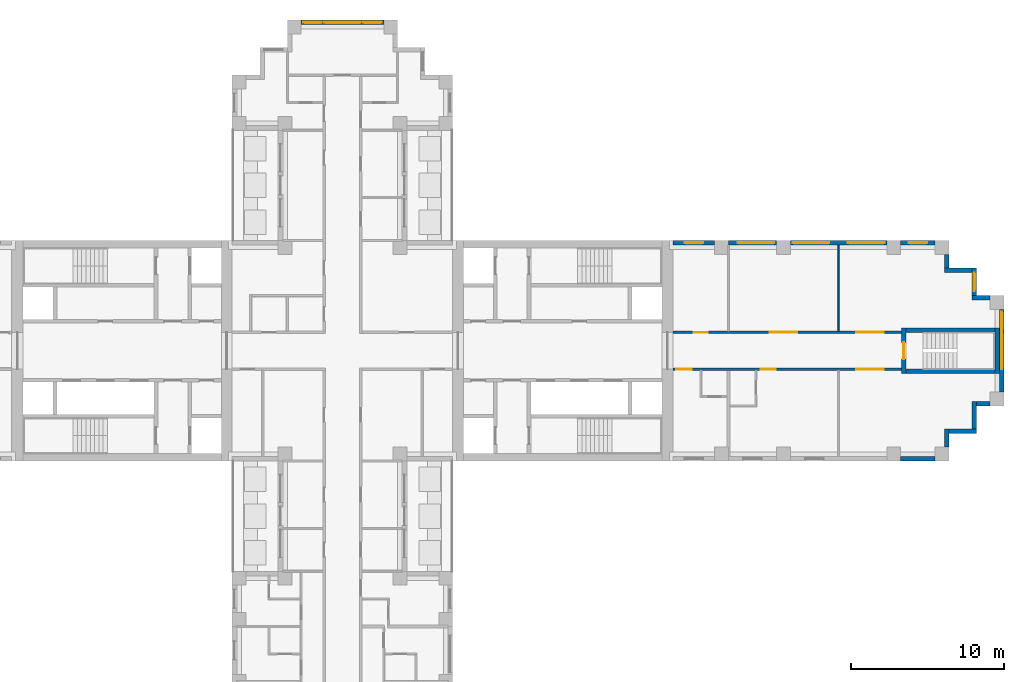
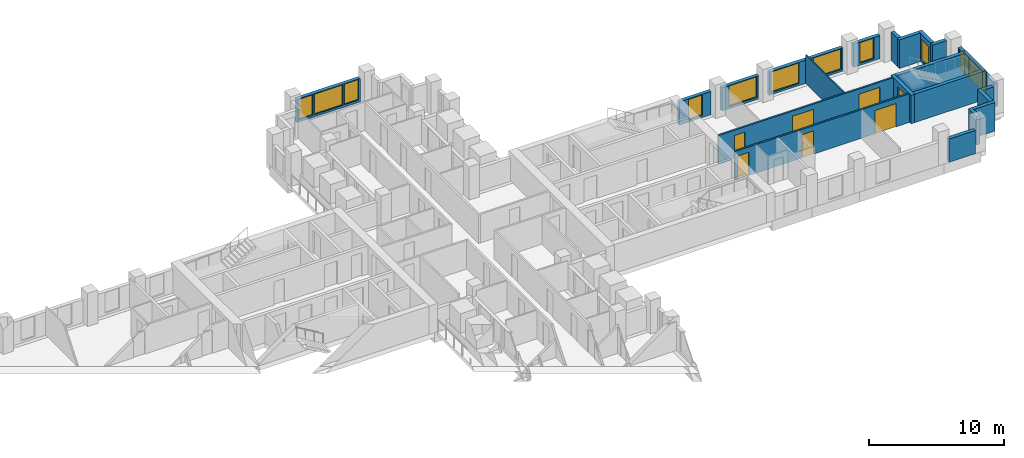
# One storey, part 11 of 14: 22 walls, 11 windows, 7 doors, 18 openings.
"""IFC4 building model written with IfcOpenShell, lengths in metres."""

from ifc_helpers import new_model, si_unit, direction, frame, frame_2d, origin, place, context, subcontext, project, spatial, rectangle, extrude, material, layer, layer_set, type_object, element, fill, save


model = new_model("IFC4")

# Units and contexts
model_context = context("Model", 3, precision=1e-05, world=origin(), true_north=direction((0.0, 1.0)))
body_context = subcontext(model_context, "Body", "Model", "MODEL_VIEW")
ifc_project = project(units=[si_unit("LENGTHUNIT", "METRE"), si_unit("AREAUNIT", "SQUARE_METRE"), si_unit("VOLUMEUNIT", "CUBIC_METRE"), si_unit("PLANEANGLEUNIT", "RADIAN"), si_unit("MASSUNIT", "GRAM", prefix="KILO")], contexts=[model_context])

# Site, building, storey
site_placement = place(None, origin())
site = spatial("IfcSite", under=ifc_project, at=site_placement, CompositionType="ELEMENT")
building_placement = place(site_placement, origin())
building = spatial("IfcBuilding", under=site, at=building_placement, Name="Fustian Cross Tower", CompositionType="ELEMENT")
storey_placement = place(building_placement, frame((0.0, 0.0, 72.89990234375)))
storey = spatial("IfcBuildingStorey", under=building, at=storey_placement, Name="L22", CompositionType="ELEMENT", Elevation=72.89990234375)

# Wall, openings, doors
ifc_material_1 = material(Name="Plasterboard on steel stud", Category="steel")
ifc_layer_1 = layer(ifc_material_1, 0.14990234375)
ifc_layer_set_1 = layer_set([ifc_layer_1], Name="Plasterboard on steel stud")
wall_type_1 = type_object("IfcWallType", Name="COMPARTMENT WALL 150 EI 60", PredefinedType="PARTITIONING", material=ifc_layer_set_1)
wall_1_placement = place(storey_placement, frame((21.60009765625, -1.199951171875, 0.0), z_axis=(0.0, 0.0, 1.0), x_axis=(1.0, 0.0, 0.0)))
wall_1 = element("IfcWall", 1, at=wall_1_placement, inside=storey, type_object=wall_type_1, Name="Partition 84", PredefinedType="PARTITIONING", context=body_context, shape_type="SweptSolid", body=[
    extrude(rectangle(XDim=14.89990234375, YDim=0.14990234375, at=frame_2d((7.449951171875, 0.0))), origin(), (0.0, 0.0, 1.0), 2.5751953125),
])
opening_1_placement = place(wall_1_placement, frame((0.199951171875, 0.0, 0.0)))
opening_1 = element("IfcOpeningElement", 2, at=opening_1_placement, cuts=wall_1, Name="Opening D11013", PredefinedType="OPENING", context=body_context, shape_type="SweptSolid", body=[
    extrude(rectangle(XDim=1.0, YDim=2.10009765625, at=frame_2d((0.5, 1.050048828125))), frame((0.0, 0.0849609375, 0.0), z_axis=(0.0, -1.0, 0.0), x_axis=(1.0, 0.0, 0.0)), (0.0, 0.0, 1.0), 0.169921875),
])
opening_2_placement = place(wall_1_placement, frame((5.7099609375, 0.0, 0.0)))
opening_2 = element("IfcOpeningElement", 3, at=opening_2_placement, cuts=wall_1, Name="Opening D11015", PredefinedType="OPENING", context=body_context, shape_type="SweptSolid", body=[
    extrude(rectangle(XDim=1.0, YDim=2.10009765625, at=frame_2d((0.5, 1.050048828125))), frame((0.0, 0.0849609375, 0.0), z_axis=(0.0, -1.0, 0.0), x_axis=(1.0, 0.0, 0.0)), (0.0, 0.0, 1.0), 0.169921875),
])
opening_3_placement = place(wall_1_placement, frame((11.949951171875, 0.0, 0.0)))
opening_3 = element("IfcOpeningElement", 4, at=opening_3_placement, cuts=wall_1, Name="Opening D11016", PredefinedType="OPENING", context=body_context, shape_type="SweptSolid", body=[
    extrude(rectangle(XDim=1.800048828125, YDim=2.10009765625, at=frame_2d((0.89990234375, 1.050048828125))), frame((0.0, 0.0849609375, 0.0), z_axis=(0.0, -1.0, 0.0), x_axis=(1.0, 0.0, 0.0)), (0.0, 0.0, 1.0), 0.169921875),
])
ifc_material_2 = material(Name="Timber fire door set", Category="wood")
door_type_1 = type_object("IfcDoorType", Name="FIRE DOUBLE DOOR 1800 FD30S", OperationType="DOUBLE_DOOR_DOUBLE_SWING", PredefinedType="DOOR", material=ifc_material_2)
door_1_placement = place(opening_3_placement, origin())
door_1 = element("IfcDoor", 5, at=door_1_placement, inside=storey, type_object=door_type_1, Name="Door D11016", OperationType="DOUBLE_DOOR_DOUBLE_SWING", OverallHeight=2.10009765625, OverallWidth=1.800048828125, PredefinedType="DOOR", context=body_context, shape_type="SweptSolid", body=[
    extrude(rectangle(XDim=1.800048828125, YDim=2.10009765625, at=frame_2d((0.89990234375, 1.050048828125))), frame((0.0, 0.02490234375, 0.0), z_axis=(0.0, -1.0, 0.0), x_axis=(1.0, 0.0, 0.0)), (0.0, 0.0, 1.0), 0.050048828125),
])
fill(opening_3, door_1)
ifc_material_3 = material(Name="Timber fire door set", Category="wood")
door_type_2 = type_object("IfcDoorType", Name="FIRE SWING DOOR 1000 FD30S", OperationType="SINGLE_SWING_LEFT", PredefinedType="DOOR", material=ifc_material_3)
door_2_placement = place(opening_1_placement, frame((1.0, 0.0, 0.0), z_axis=(0.0, 0.0, 1.0), x_axis=(-1.0, 0.0, 0.0)))
door_2 = element("IfcDoor", 6, at=door_2_placement, inside=storey, type_object=door_type_2, Name="Door D11013", OperationType="SINGLE_SWING_RIGHT", OverallHeight=2.10009765625, OverallWidth=1.0, PredefinedType="DOOR", context=body_context, shape_type="SweptSolid", body=[
    extrude(rectangle(XDim=1.0, YDim=2.10009765625, at=frame_2d((0.5, 1.050048828125))), frame((0.0, 0.02490234375, 0.0), z_axis=(0.0, -1.0, 0.0), x_axis=(1.0, 0.0, 0.0)), (0.0, 0.0, 1.0), 0.050048828125),
])
fill(opening_1, door_2)
door_3_placement = place(opening_2_placement, frame((1.0, 0.0, 0.0), z_axis=(0.0, 0.0, 1.0), x_axis=(-1.0, 0.0, 0.0)))
door_3 = element("IfcDoor", 7, at=door_3_placement, inside=storey, type_object=door_type_2, Name="Door D11015", OperationType="SINGLE_SWING_RIGHT", OverallHeight=2.10009765625, OverallWidth=1.0, PredefinedType="DOOR", context=body_context, shape_type="SweptSolid", body=[
    extrude(rectangle(XDim=1.0, YDim=2.10009765625, at=frame_2d((0.5, 1.050048828125))), frame((0.0, 0.02490234375, 0.0), z_axis=(0.0, -1.0, 0.0), x_axis=(1.0, 0.0, 0.0)), (0.0, 0.0, 1.0), 0.050048828125),
])
fill(opening_2, door_3)

wall_2_placement = place(storey_placement, frame((21.60009765625, 1.199951171875, 0.0), z_axis=(0.0, 0.0, 1.0), x_axis=(1.0, 0.0, 0.0)))
wall_2 = element("IfcWall", 8, at=wall_2_placement, inside=storey, type_object=wall_type_1, Name="Partition 85", PredefinedType="PARTITIONING", context=body_context, shape_type="SweptSolid", body=[
    extrude(rectangle(XDim=14.89990234375, YDim=0.14990234375, at=frame_2d((7.449951171875, 0.0))), origin(), (0.0, 0.0, 1.0), 2.5751953125),
])
opening_4_placement = place(wall_2_placement, frame((1.35009765625, 0.0, 0.0)))
opening_4 = element("IfcOpeningElement", 9, at=opening_4_placement, cuts=wall_2, Name="Opening D11009", PredefinedType="OPENING", context=body_context, shape_type="SweptSolid", body=[
    extrude(rectangle(XDim=0.89990234375, YDim=2.10009765625, at=frame_2d((0.449951171875, 1.050048828125))), frame((0.0, 0.0849609375, 0.0), z_axis=(0.0, -1.0, 0.0), x_axis=(1.0, 0.0, 0.0)), (0.0, 0.0, 1.0), 0.169921875),
])
opening_5_placement = place(wall_2_placement, frame((6.300048828125, 0.0, 0.0)))
opening_5 = element("IfcOpeningElement", 10, at=opening_5_placement, cuts=wall_2, Name="Opening D11010", PredefinedType="OPENING", context=body_context, shape_type="SweptSolid", body=[
    extrude(rectangle(XDim=1.800048828125, YDim=2.10009765625, at=frame_2d((0.89990234375, 1.050048828125))), frame((0.0, 0.0849609375, 0.0), z_axis=(0.0, -1.0, 0.0), x_axis=(1.0, 0.0, 0.0)), (0.0, 0.0, 1.0), 0.169921875),
])
opening_6_placement = place(wall_2_placement, frame((11.949951171875, 0.0, 0.0)))
opening_6 = element("IfcOpeningElement", 11, at=opening_6_placement, cuts=wall_2, Name="Opening D11011", PredefinedType="OPENING", context=body_context, shape_type="SweptSolid", body=[
    extrude(rectangle(XDim=1.800048828125, YDim=2.10009765625, at=frame_2d((0.89990234375, 1.050048828125))), frame((0.0, 0.0849609375, 0.0), z_axis=(0.0, -1.0, 0.0), x_axis=(1.0, 0.0, 0.0)), (0.0, 0.0, 1.0), 0.169921875),
])
door_4_placement = place(opening_5_placement, frame((1.800048828125, 0.0, 0.0), z_axis=(0.0, 0.0, 1.0), x_axis=(-1.0, 0.0, 0.0)))
door_4 = element("IfcDoor", 12, at=door_4_placement, inside=storey, type_object=door_type_1, Name="Door D11010", OperationType="DOUBLE_DOOR_DOUBLE_SWING", OverallHeight=2.10009765625, OverallWidth=1.800048828125, PredefinedType="DOOR", context=body_context, shape_type="SweptSolid", body=[
    extrude(rectangle(XDim=1.800048828125, YDim=2.10009765625, at=frame_2d((0.89990234375, 1.050048828125))), frame((0.0, 0.02490234375, 0.0), z_axis=(0.0, -1.0, 0.0), x_axis=(1.0, 0.0, 0.0)), (0.0, 0.0, 1.0), 0.050048828125),
])
fill(opening_5, door_4)
door_5_placement = place(opening_6_placement, frame((1.800048828125, 0.0, 0.0), z_axis=(0.0, 0.0, 1.0), x_axis=(-1.0, 0.0, 0.0)))
door_5 = element("IfcDoor", 13, at=door_5_placement, inside=storey, type_object=door_type_1, Name="Door D11011", OperationType="DOUBLE_DOOR_DOUBLE_SWING", OverallHeight=2.10009765625, OverallWidth=1.800048828125, PredefinedType="DOOR", context=body_context, shape_type="SweptSolid", body=[
    extrude(rectangle(XDim=1.800048828125, YDim=2.10009765625, at=frame_2d((0.89990234375, 1.050048828125))), frame((0.0, 0.02490234375, 0.0), z_axis=(0.0, -1.0, 0.0), x_axis=(1.0, 0.0, 0.0)), (0.0, 0.0, 1.0), 0.050048828125),
])
fill(opening_6, door_5)
ifc_material_4 = material(Name="Timber fire door set", Category="wood")
door_type_3 = type_object("IfcDoorType", Name="FIRE SWING DOOR 900 FD30S", OperationType="SINGLE_SWING_LEFT", PredefinedType="DOOR", material=ifc_material_4)
door_6_placement = place(opening_4_placement, origin())
door_6 = element("IfcDoor", 14, at=door_6_placement, inside=storey, type_object=door_type_3, Name="Door D11009", OperationType="SINGLE_SWING_LEFT", OverallHeight=2.10009765625, OverallWidth=0.89990234375, PredefinedType="DOOR", context=body_context, shape_type="SweptSolid", body=[
    extrude(rectangle(XDim=0.89990234375, YDim=2.10009765625, at=frame_2d((0.449951171875, 1.050048828125))), frame((0.0, 0.02490234375, 0.0), z_axis=(0.0, -1.0, 0.0), x_axis=(1.0, 0.0, 0.0)), (0.0, 0.0, 1.0), 0.050048828125),
])
fill(opening_4, door_6)

# Wall
ifc_material_5 = material(Name="Plasterboard on steel stud", Category="steel")
ifc_layer_2 = layer(ifc_material_5, 0.10009765625)
ifc_layer_set_2 = layer_set([ifc_layer_2], Name="Plasterboard on steel stud")
wall_type_2 = type_object("IfcWallType", Name="PARTITION 100 STUD", PredefinedType="PARTITIONING", material=ifc_layer_set_2)
wall_3_placement = place(storey_placement, frame((32.39990234375, 1.27490234375, 0.0), z_axis=(0.0, 0.0, 1.0), x_axis=(0.0, 1.0, 0.0)))
element("IfcWall", 15, at=wall_3_placement, inside=storey, type_object=wall_type_2, Name="Partition 93", PredefinedType="PARTITIONING", context=body_context, shape_type="SweptSolid", body=[
    extrude(rectangle(XDim=5.625, YDim=0.10009765625, at=frame_2d((2.8125, 0.0))), origin(), (0.0, 0.0, 1.0), 2.5751953125),
])

# Wall, opening, door
ifc_material_6 = material(Name="Concrete C50/60", Category="concrete")
ifc_layer_3 = layer(ifc_material_6, 0.300048828125)
ifc_layer_set_3 = layer_set([ifc_layer_3], Name="Concrete C50/60")
wall_type_3 = type_object("IfcWallType", Name="STAIR ENCLOSURE WALL 300 C50/60", PredefinedType="SHEAR", material=ifc_layer_set_3)
wall_4_placement = place(storey_placement, frame((36.64990234375, -1.5, 0.0), z_axis=(0.0, 0.0, 1.0), x_axis=(0.0, 1.0, 0.0)))
wall_4 = element("IfcWall", 16, at=wall_4_placement, inside=storey, type_object=wall_type_3, Name="Stair enclosure wall", PredefinedType="SHEAR", context=body_context, shape_type="SweptSolid", body=[
    extrude(rectangle(XDim=3.0, YDim=0.300048828125, at=frame_2d((1.5, 0.0))), origin(), (0.0, 0.0, 1.0), 2.5751953125),
])
opening_7_placement = place(wall_4_placement, frame((0.949951171875, 0.0, 0.0)))
opening_7 = element("IfcOpeningElement", 17, at=opening_7_placement, cuts=wall_4, Name="Opening CD-09-30", PredefinedType="OPENING", context=body_context, shape_type="SweptSolid", body=[
    extrude(rectangle(XDim=1.10009765625, YDim=2.10009765625, at=frame_2d((0.550048828125, 1.050048828125))), frame((0.0, 0.159912109375, 0.0), z_axis=(0.0, -1.0, 0.0), x_axis=(1.0, 0.0, 0.0)), (0.0, 0.0, 1.0), 0.320068359375),
])
ifc_material_7 = material(Name="Steel", Category="steel")
door_type_4 = type_object("IfcDoorType", Name="FIRE DOOR FD60S 1100X2100", OperationType="SINGLE_SWING_LEFT", PredefinedType="DOOR", material=ifc_material_7)
door_7_placement = place(opening_7_placement, frame((1.10009765625, 0.0, 0.0), z_axis=(0.0, 0.0, 1.0), x_axis=(-1.0, 0.0, 0.0)))
door_7 = element("IfcDoor", 18, at=door_7_placement, inside=storey, type_object=door_type_4, Name="Core door CD-09-30", OperationType="SINGLE_SWING_RIGHT", OverallHeight=2.10009765625, OverallWidth=1.10009765625, PredefinedType="DOOR", context=body_context, shape_type="SweptSolid", body=[
    extrude(rectangle(XDim=1.10009765625, YDim=2.10009765625, at=frame_2d((0.550048828125, 1.050048828125))), frame((0.0, 0.02490234375, 0.0), z_axis=(0.0, -1.0, 0.0), x_axis=(1.0, 0.0, 0.0)), (0.0, 0.0, 1.0), 0.050048828125),
])
fill(opening_7, door_7)

# Walls
wall_5_placement = place(storey_placement, frame((42.75, -1.5, 0.0), z_axis=(0.0, 0.0, 1.0), x_axis=(0.0, 1.0, 0.0)))
element("IfcWall", 19, at=wall_5_placement, inside=storey, type_object=wall_type_3, Name="Stair enclosure wall", PredefinedType="SHEAR", context=body_context, shape_type="SweptSolid", body=[
    extrude(rectangle(XDim=3.0, YDim=0.300048828125, at=frame_2d((1.5, 0.0))), origin(), (0.0, 0.0, 1.0), 2.5751953125),
])
for number, where, z_axis, x_axis, name in (
    (20, (36.800048828125, -1.35009765625, 0.0), (0.0, 0.0, 1.0), (1.0, 0.0, 0.0), "Stair enclosure wall"),
    (21, (36.800048828125, 1.35009765625, 0.0), (0.0, 0.0, 1.0), (1.0, 0.0, 0.0), "Stair enclosure wall"),
):
    element("IfcWall", number, at=place(storey_placement, frame(where, z_axis=z_axis, x_axis=x_axis)), inside=storey, type_object=wall_type_3, Name=name, PredefinedType="SHEAR", context=body_context, shape_type="SweptSolid", body=[
        extrude(rectangle(XDim=5.800048828125, YDim=0.300048828125, at=frame_2d((2.89990234375, 0.0))), origin(), (0.0, 0.0, 1.0), 2.5751953125),
    ])
ifc_material_8 = material(Name="Dark aluminium cladding on insulated backing wall", Category="aluminium")
ifc_layer_4 = layer(ifc_material_8, 0.300048828125)
ifc_layer_set_4 = layer_set([ifc_layer_4], Name="Dark aluminium cladding on insulated backing wall")
wall_type_4 = type_object("IfcWallType", Name="XW1 EXTERNAL WALL 300", PredefinedType="SOLIDWALL", material=ifc_layer_set_4)
wall_6_placement = place(storey_placement, frame((36.449951171875, -7.050048828125, 0.0), z_axis=(0.0, 0.0, 1.0), x_axis=(1.0, 0.0, 0.0)))
element("IfcWall", 22, at=wall_6_placement, inside=storey, type_object=wall_type_4, Name="External wall", PredefinedType="SOLIDWALL", context=body_context, shape_type="SweptSolid", body=[
    extrude(rectangle(XDim=2.25, YDim=0.300048828125, at=frame_2d((1.125, 0.0))), origin(), (0.0, 0.0, 1.0), 2.10009765625),
])
wall_7_placement = place(storey_placement, frame((39.449951171875, -6.300048828125, 0.0), z_axis=(0.0, 0.0, 1.0), x_axis=(0.0, 1.0, 0.0)))
element("IfcWall", 23, at=wall_7_placement, inside=storey, type_object=wall_type_4, Name="External wall", PredefinedType="SOLIDWALL", context=body_context, shape_type="SweptSolid", body=[
    extrude(rectangle(XDim=1.199951171875, YDim=0.300048828125, at=frame_2d((0.60009765625, 0.0))), origin(), (0.0, 0.0, 1.0), 2.5751953125),
])
wall_8_placement = place(storey_placement, frame((39.60009765625, -5.25, 0.0), z_axis=(0.0, 0.0, 1.0), x_axis=(1.0, 0.0, 0.0)))
element("IfcWall", 24, at=wall_8_placement, inside=storey, type_object=wall_type_4, Name="External wall", PredefinedType="SOLIDWALL", context=body_context, shape_type="SweptSolid", body=[
    extrude(rectangle(XDim=1.7998046875, YDim=0.300048828125, at=frame_2d((0.89990234375, 0.0))), origin(), (0.0, 0.0, 1.0), 2.5751953125),
])
wall_9_placement = place(storey_placement, frame((41.25, -5.10009765625, 0.0), z_axis=(0.0, 0.0, 1.0), x_axis=(0.0, 1.0, 0.0)))
element("IfcWall", 25, at=wall_9_placement, inside=storey, type_object=wall_type_4, Name="External wall", PredefinedType="SOLIDWALL", context=body_context, shape_type="SweptSolid", body=[
    extrude(rectangle(XDim=1.800048828125, YDim=0.300048828125, at=frame_2d((0.89990234375, 0.0))), origin(), (0.0, 0.0, 1.0), 2.5751953125),
])
wall_10_placement = place(storey_placement, frame((41.39990234375, -3.449951171875, 0.0), z_axis=(0.0, 0.0, 1.0), x_axis=(1.0, 0.0, 0.0)))
element("IfcWall", 26, at=wall_10_placement, inside=storey, type_object=wall_type_4, Name="External wall", PredefinedType="SOLIDWALL", context=body_context, shape_type="SweptSolid", body=[
    extrude(rectangle(XDim=0.900146484375, YDim=0.300048828125, at=frame_2d((0.4501953125, 0.0))), origin(), (0.0, 0.0, 1.0), 2.5751953125),
])

# Wall, openings, windows
wall_11_placement = place(storey_placement, frame((43.050048828125, -2.699951171875, 0.0), z_axis=(0.0, 0.0, 1.0), x_axis=(0.0, 1.0, 0.0)))
wall_11 = element("IfcWall", 27, at=wall_11_placement, inside=storey, type_object=wall_type_4, Name="External wall", PredefinedType="SOLIDWALL", context=body_context, shape_type="SweptSolid", body=[
    extrude(rectangle(XDim=5.39990234375, YDim=0.300048828125, at=frame_2d((2.699951171875, 0.0))), origin(), (0.0, 0.0, 1.0), 2.10009765625),
])
opening_8_placement = place(wall_11_placement, frame((1.5, 0.0, 0.199951171875)))
opening_8 = element("IfcOpeningElement", 28, at=opening_8_placement, cuts=wall_11, Name="Opening WN1", PredefinedType="OPENING", context=body_context, shape_type="SweptSolid", body=[
    extrude(rectangle(XDim=2.39990234375, YDim=1.85009765625, at=frame_2d((1.199951171875, 0.925048828125))), frame((0.0, 0.159912109375, 0.0), z_axis=(0.0, -1.0, 0.0), x_axis=(1.0, 0.0, 0.0)), (0.0, 0.0, 1.0), 0.320068359375),
])
opening_9_placement = place(wall_11_placement, frame((4.050048828125, 0.0, 0.199951171875)))
opening_9 = element("IfcOpeningElement", 29, at=opening_9_placement, cuts=wall_11, Name="Opening WN3", PredefinedType="OPENING", context=body_context, shape_type="SweptSolid", body=[
    extrude(rectangle(XDim=1.199951171875, YDim=1.85009765625, at=frame_2d((0.60009765625, 0.925048828125))), frame((0.0, 0.159912109375, 0.0), z_axis=(0.0, -1.0, 0.0), x_axis=(1.0, 0.0, 0.0)), (0.0, 0.0, 1.0), 0.320068359375),
])
ifc_material_9 = material(Name="Dark anodised aluminium and double glazing", Category="aluminium")
window_type_1 = type_object("IfcWindowType", Name="WN1 WINDOW 2400X1850", PartitioningType="SINGLE_PANEL", PredefinedType="WINDOW", material=ifc_material_9)
window_1_placement = place(opening_8_placement, origin())
window_1 = element("IfcWindow", 30, at=window_1_placement, inside=storey, type_object=window_type_1, Name="Window", OverallHeight=1.85009765625, OverallWidth=2.39990234375, PartitioningType="SINGLE_PANEL", PredefinedType="WINDOW", context=body_context, shape_type="SweptSolid", body=[
    extrude(rectangle(XDim=2.39990234375, YDim=1.85009765625, at=frame_2d((1.199951171875, 0.925048828125))), frame((0.0, 0.030029296875, 0.0), z_axis=(0.0, -1.0, 0.0), x_axis=(1.0, 0.0, 0.0)), (0.0, 0.0, 1.0), 0.06005859375),
])
fill(opening_8, window_1)
ifc_material_10 = material(Name="Dark anodised aluminium and double glazing", Category="aluminium")
window_type_2 = type_object("IfcWindowType", Name="WN3 WINDOW 1200X1850", PartitioningType="SINGLE_PANEL", PredefinedType="WINDOW", material=ifc_material_10)
window_2_placement = place(opening_9_placement, origin())
window_2 = element("IfcWindow", 31, at=window_2_placement, inside=storey, type_object=window_type_2, Name="Window", OverallHeight=1.85009765625, OverallWidth=1.199951171875, PartitioningType="SINGLE_PANEL", PredefinedType="WINDOW", context=body_context, shape_type="SweptSolid", body=[
    extrude(rectangle(XDim=1.199951171875, YDim=1.85009765625, at=frame_2d((0.60009765625, 0.925048828125))), frame((0.0, 0.030029296875, 0.0), z_axis=(0.0, -1.0, 0.0), x_axis=(1.0, 0.0, 0.0)), (0.0, 0.0, 1.0), 0.06005859375),
])
fill(opening_9, window_2)

# Wall
wall_12_placement = place(storey_placement, frame((42.300048828125, 3.449951171875, 0.0), z_axis=(0.0, 0.0, 1.0), x_axis=(-1.0, 0.0, 0.0)))
element("IfcWall", 32, at=wall_12_placement, inside=storey, type_object=wall_type_4, Name="External wall", PredefinedType="SOLIDWALL", context=body_context, shape_type="SweptSolid", body=[
    extrude(rectangle(XDim=1.199951171875, YDim=0.300048828125, at=frame_2d((0.60009765625, 0.0))), origin(), (0.0, 0.0, 1.0), 2.5751953125),
])

# Wall, opening, window
wall_13_placement = place(storey_placement, frame((41.25, 3.60009765625, 0.0), z_axis=(0.0, 0.0, 1.0), x_axis=(0.0, 1.0, 0.0)))
wall_13 = element("IfcWall", 33, at=wall_13_placement, inside=storey, type_object=wall_type_4, Name="External wall", PredefinedType="SOLIDWALL", context=body_context, shape_type="SweptSolid", body=[
    extrude(rectangle(XDim=1.7998046875, YDim=0.300048828125, at=frame_2d((0.89990234375, 0.0))), origin(), (0.0, 0.0, 1.0), 2.5751953125),
])
opening_10_placement = place(wall_13_placement, frame((0.300048828125, 0.0, 0.199951171875)))
opening_10 = element("IfcOpeningElement", 34, at=opening_10_placement, cuts=wall_13, Name="Opening WN3", PredefinedType="OPENING", context=body_context, shape_type="SweptSolid", body=[
    extrude(rectangle(XDim=1.199951171875, YDim=1.85009765625, at=frame_2d((0.60009765625, 0.925048828125))), frame((0.0, 0.159912109375, 0.0), z_axis=(0.0, -1.0, 0.0), x_axis=(1.0, 0.0, 0.0)), (0.0, 0.0, 1.0), 0.320068359375),
])
window_3_placement = place(opening_10_placement, origin())
window_3 = element("IfcWindow", 35, at=window_3_placement, inside=storey, type_object=window_type_2, Name="Window", OverallHeight=1.85009765625, OverallWidth=1.199951171875, PartitioningType="SINGLE_PANEL", PredefinedType="WINDOW", context=body_context, shape_type="SweptSolid", body=[
    extrude(rectangle(XDim=1.199951171875, YDim=1.85009765625, at=frame_2d((0.60009765625, 0.925048828125))), frame((0.0, 0.030029296875, 0.0), z_axis=(0.0, -1.0, 0.0), x_axis=(1.0, 0.0, 0.0)), (0.0, 0.0, 1.0), 0.06005859375),
])
fill(opening_10, window_3)

# Walls
wall_14_placement = place(storey_placement, frame((41.10009765625, 5.25, 0.0), z_axis=(0.0, 0.0, 1.0), x_axis=(-1.0, 0.0, 0.0)))
element("IfcWall", 36, at=wall_14_placement, inside=storey, type_object=wall_type_4, Name="External wall", PredefinedType="SOLIDWALL", context=body_context, shape_type="SweptSolid", body=[
    extrude(rectangle(XDim=1.800048828125, YDim=0.300048828125, at=frame_2d((0.89990234375, 0.0))), origin(), (0.0, 0.0, 1.0), 2.5751953125),
])
wall_15_placement = place(storey_placement, frame((39.449951171875, 5.39990234375, 0.0), z_axis=(0.0, 0.0, 1.0), x_axis=(0.0, 1.0, 0.0)))
element("IfcWall", 37, at=wall_15_placement, inside=storey, type_object=wall_type_4, Name="External wall", PredefinedType="SOLIDWALL", context=body_context, shape_type="SweptSolid", body=[
    extrude(rectangle(XDim=0.900146484375, YDim=0.300048828125, at=frame_2d((0.4501953125, 0.0))), origin(), (0.0, 0.0, 1.0), 2.5751953125),
])

# Wall, opening, window
wall_16_placement = place(storey_placement, frame((38.699951171875, 7.050048828125, 0.0), z_axis=(0.0, 0.0, 1.0), x_axis=(-1.0, 0.0, 0.0)))
wall_16 = element("IfcWall", 38, at=wall_16_placement, inside=storey, type_object=wall_type_4, Name="External wall", PredefinedType="SOLIDWALL", context=body_context, shape_type="SweptSolid", body=[
    extrude(rectangle(XDim=2.25, YDim=0.300048828125, at=frame_2d((1.125, 0.0))), origin(), (0.0, 0.0, 1.0), 2.10009765625),
])
opening_11_placement = place(wall_16_placement, frame((0.52490234375, 0.0, 0.199951171875)))
opening_11 = element("IfcOpeningElement", 39, at=opening_11_placement, cuts=wall_16, Name="Opening WN3", PredefinedType="OPENING", context=body_context, shape_type="SweptSolid", body=[
    extrude(rectangle(XDim=1.199951171875, YDim=1.85009765625, at=frame_2d((0.60009765625, 0.925048828125))), frame((0.0, 0.159912109375, 0.0), z_axis=(0.0, -1.0, 0.0), x_axis=(1.0, 0.0, 0.0)), (0.0, 0.0, 1.0), 0.320068359375),
])
window_4_placement = place(opening_11_placement, origin())
window_4 = element("IfcWindow", 40, at=window_4_placement, inside=storey, type_object=window_type_2, Name="Window", OverallHeight=1.85009765625, OverallWidth=1.199951171875, PartitioningType="SINGLE_PANEL", PredefinedType="WINDOW", context=body_context, shape_type="SweptSolid", body=[
    extrude(rectangle(XDim=1.199951171875, YDim=1.85009765625, at=frame_2d((0.60009765625, 0.925048828125))), frame((0.0, 0.030029296875, 0.0), z_axis=(0.0, -1.0, 0.0), x_axis=(1.0, 0.0, 0.0)), (0.0, 0.0, 1.0), 0.06005859375),
])
fill(opening_11, window_4)

# Wall, openings, windows
wall_17_placement = place(storey_placement, frame((35.550048828125, 7.050048828125, 0.0), z_axis=(0.0, 0.0, 1.0), x_axis=(-1.0, 0.0, 0.0)))
wall_17 = element("IfcWall", 41, at=wall_17_placement, inside=storey, type_object=wall_type_4, Name="External wall", PredefinedType="SOLIDWALL", context=body_context, shape_type="SweptSolid", body=[
    extrude(rectangle(XDim=6.300048828125, YDim=0.300048828125, at=frame_2d((3.14990234375, 0.0))), origin(), (0.0, 0.0, 1.0), 2.10009765625),
])
opening_12_placement = place(wall_17_placement, frame((0.14990234375, 0.0, 0.199951171875)))
opening_12 = element("IfcOpeningElement", 42, at=opening_12_placement, cuts=wall_17, Name="Opening WN1", PredefinedType="OPENING", context=body_context, shape_type="SweptSolid", body=[
    extrude(rectangle(XDim=2.39990234375, YDim=1.85009765625, at=frame_2d((1.199951171875, 0.925048828125))), frame((0.0, 0.159912109375, 0.0), z_axis=(0.0, -1.0, 0.0), x_axis=(1.0, 0.0, 0.0)), (0.0, 0.0, 1.0), 0.320068359375),
])
opening_13_placement = place(wall_17_placement, frame((3.75, 0.0, 0.199951171875)))
opening_13 = element("IfcOpeningElement", 43, at=opening_13_placement, cuts=wall_17, Name="Opening WN1", PredefinedType="OPENING", context=body_context, shape_type="SweptSolid", body=[
    extrude(rectangle(XDim=2.39990234375, YDim=1.85009765625, at=frame_2d((1.199951171875, 0.925048828125))), frame((0.0, 0.159912109375, 0.0), z_axis=(0.0, -1.0, 0.0), x_axis=(1.0, 0.0, 0.0)), (0.0, 0.0, 1.0), 0.320068359375),
])
window_5_placement = place(opening_12_placement, origin())
window_5 = element("IfcWindow", 44, at=window_5_placement, inside=storey, type_object=window_type_1, Name="Window", OverallHeight=1.85009765625, OverallWidth=2.39990234375, PartitioningType="SINGLE_PANEL", PredefinedType="WINDOW", context=body_context, shape_type="SweptSolid", body=[
    extrude(rectangle(XDim=2.39990234375, YDim=1.85009765625, at=frame_2d((1.199951171875, 0.925048828125))), frame((0.0, 0.030029296875, 0.0), z_axis=(0.0, -1.0, 0.0), x_axis=(1.0, 0.0, 0.0)), (0.0, 0.0, 1.0), 0.06005859375),
])
fill(opening_12, window_5)
window_6_placement = place(opening_13_placement, origin())
window_6 = element("IfcWindow", 45, at=window_6_placement, inside=storey, type_object=window_type_1, Name="Window", OverallHeight=1.85009765625, OverallWidth=2.39990234375, PartitioningType="SINGLE_PANEL", PredefinedType="WINDOW", context=body_context, shape_type="SweptSolid", body=[
    extrude(rectangle(XDim=2.39990234375, YDim=1.85009765625, at=frame_2d((1.199951171875, 0.925048828125))), frame((0.0, 0.030029296875, 0.0), z_axis=(0.0, -1.0, 0.0), x_axis=(1.0, 0.0, 0.0)), (0.0, 0.0, 1.0), 0.06005859375),
])
fill(opening_13, window_6)

# Wall, opening, window
wall_18_placement = place(storey_placement, frame((28.35009765625, 7.050048828125, 0.0), z_axis=(0.0, 0.0, 1.0), x_axis=(-1.0, 0.0, 0.0)))
wall_18 = element("IfcWall", 46, at=wall_18_placement, inside=storey, type_object=wall_type_4, Name="External wall", PredefinedType="SOLIDWALL", context=body_context, shape_type="SweptSolid", body=[
    extrude(rectangle(XDim=3.150146484375, YDim=0.300048828125, at=frame_2d((1.5751953125, 0.0))), origin(), (0.0, 0.0, 1.0), 2.10009765625),
])
opening_14_placement = place(wall_18_placement, frame((0.14990234375, 0.0, 0.199951171875)))
opening_14 = element("IfcOpeningElement", 47, at=opening_14_placement, cuts=wall_18, Name="Opening WN1", PredefinedType="OPENING", context=body_context, shape_type="SweptSolid", body=[
    extrude(rectangle(XDim=2.39990234375, YDim=1.85009765625, at=frame_2d((1.199951171875, 0.925048828125))), frame((0.0, 0.159912109375, 0.0), z_axis=(0.0, -1.0, 0.0), x_axis=(1.0, 0.0, 0.0)), (0.0, 0.0, 1.0), 0.320068359375),
])
window_7_placement = place(opening_14_placement, origin())
window_7 = element("IfcWindow", 48, at=window_7_placement, inside=storey, type_object=window_type_1, Name="Window", OverallHeight=1.85009765625, OverallWidth=2.39990234375, PartitioningType="SINGLE_PANEL", PredefinedType="WINDOW", context=body_context, shape_type="SweptSolid", body=[
    extrude(rectangle(XDim=2.39990234375, YDim=1.85009765625, at=frame_2d((1.199951171875, 0.925048828125))), frame((0.0, 0.030029296875, 0.0), z_axis=(0.0, -1.0, 0.0), x_axis=(1.0, 0.0, 0.0)), (0.0, 0.0, 1.0), 0.06005859375),
])
fill(opening_14, window_7)

wall_19_placement = place(storey_placement, frame((24.300048828125, 7.050048828125, 0.0), z_axis=(0.0, 0.0, 1.0), x_axis=(-1.0, 0.0, 0.0)))
wall_19 = element("IfcWall", 49, at=wall_19_placement, inside=storey, type_object=wall_type_4, Name="External wall", PredefinedType="SOLIDWALL", context=body_context, shape_type="SweptSolid", body=[
    extrude(rectangle(XDim=2.699951171875, YDim=0.300048828125, at=frame_2d((1.35009765625, 0.0))), origin(), (0.0, 0.0, 1.0), 2.10009765625),
])
opening_15_placement = place(wall_19_placement, frame((0.75, 0.0, 0.199951171875)))
opening_15 = element("IfcOpeningElement", 50, at=opening_15_placement, cuts=wall_19, Name="Opening WN3", PredefinedType="OPENING", context=body_context, shape_type="SweptSolid", body=[
    extrude(rectangle(XDim=1.199951171875, YDim=1.85009765625, at=frame_2d((0.60009765625, 0.925048828125))), frame((0.0, 0.159912109375, 0.0), z_axis=(0.0, -1.0, 0.0), x_axis=(1.0, 0.0, 0.0)), (0.0, 0.0, 1.0), 0.320068359375),
])
window_8_placement = place(opening_15_placement, origin())
window_8 = element("IfcWindow", 51, at=window_8_placement, inside=storey, type_object=window_type_2, Name="Window", OverallHeight=1.85009765625, OverallWidth=1.199951171875, PartitioningType="SINGLE_PANEL", PredefinedType="WINDOW", context=body_context, shape_type="SweptSolid", body=[
    extrude(rectangle(XDim=1.199951171875, YDim=1.85009765625, at=frame_2d((0.60009765625, 0.925048828125))), frame((0.0, 0.030029296875, 0.0), z_axis=(0.0, -1.0, 0.0), x_axis=(1.0, 0.0, 0.0)), (0.0, 0.0, 1.0), 0.06005859375),
])
fill(opening_15, window_8)

# Wall, openings, windows
wall_20_placement = place(storey_placement, frame((2.699951171875, 21.449951171875, 0.0), z_axis=(0.0, 0.0, 1.0), x_axis=(-1.0, 0.0, 0.0)))
wall_20 = element("IfcWall", 52, at=wall_20_placement, inside=storey, type_object=wall_type_4, Name="External wall", PredefinedType="SOLIDWALL", context=body_context, shape_type="SweptSolid", body=[
    extrude(rectangle(XDim=5.39990234375, YDim=0.300048828125, at=frame_2d((2.699951171875, 0.0))), origin(), (0.0, 0.0, 1.0), 2.10009765625),
])
opening_16_placement = place(wall_20_placement, frame((1.5, 0.0, 0.199951171875)))
opening_16 = element("IfcOpeningElement", 53, at=opening_16_placement, cuts=wall_20, Name="Opening WN1", PredefinedType="OPENING", context=body_context, shape_type="SweptSolid", body=[
    extrude(rectangle(XDim=2.39990234375, YDim=1.85009765625, at=frame_2d((1.199951171875, 0.925048828125))), frame((0.0, 0.159912109375, 0.0), z_axis=(0.0, -1.0, 0.0), x_axis=(1.0, 0.0, 0.0)), (0.0, 0.0, 1.0), 0.320068359375),
])
opening_17_placement = place(wall_20_placement, frame((0.14990234375, 0.0, 0.199951171875)))
opening_17 = element("IfcOpeningElement", 54, at=opening_17_placement, cuts=wall_20, Name="Opening WN3", PredefinedType="OPENING", context=body_context, shape_type="SweptSolid", body=[
    extrude(rectangle(XDim=1.199951171875, YDim=1.85009765625, at=frame_2d((0.60009765625, 0.925048828125))), frame((0.0, 0.159912109375, 0.0), z_axis=(0.0, -1.0, 0.0), x_axis=(1.0, 0.0, 0.0)), (0.0, 0.0, 1.0), 0.320068359375),
])
opening_18_placement = place(wall_20_placement, frame((4.050048828125, 0.0, 0.199951171875)))
opening_18 = element("IfcOpeningElement", 55, at=opening_18_placement, cuts=wall_20, Name="Opening WN3", PredefinedType="OPENING", context=body_context, shape_type="SweptSolid", body=[
    extrude(rectangle(XDim=1.199951171875, YDim=1.85009765625, at=frame_2d((0.60009765625, 0.925048828125))), frame((0.0, 0.159912109375, 0.0), z_axis=(0.0, -1.0, 0.0), x_axis=(1.0, 0.0, 0.0)), (0.0, 0.0, 1.0), 0.320068359375),
])
window_9_placement = place(opening_16_placement, origin())
window_9 = element("IfcWindow", 56, at=window_9_placement, inside=storey, type_object=window_type_1, Name="Window", OverallHeight=1.85009765625, OverallWidth=2.39990234375, PartitioningType="SINGLE_PANEL", PredefinedType="WINDOW", context=body_context, shape_type="SweptSolid", body=[
    extrude(rectangle(XDim=2.39990234375, YDim=1.85009765625, at=frame_2d((1.199951171875, 0.925048828125))), frame((0.0, 0.030029296875, 0.0), z_axis=(0.0, -1.0, 0.0), x_axis=(1.0, 0.0, 0.0)), (0.0, 0.0, 1.0), 0.06005859375),
])
fill(opening_16, window_9)
window_10_placement = place(opening_17_placement, origin())
window_10 = element("IfcWindow", 57, at=window_10_placement, inside=storey, type_object=window_type_2, Name="Window", OverallHeight=1.85009765625, OverallWidth=1.199951171875, PartitioningType="SINGLE_PANEL", PredefinedType="WINDOW", context=body_context, shape_type="SweptSolid", body=[
    extrude(rectangle(XDim=1.199951171875, YDim=1.85009765625, at=frame_2d((0.60009765625, 0.925048828125))), frame((0.0, 0.030029296875, 0.0), z_axis=(0.0, -1.0, 0.0), x_axis=(1.0, 0.0, 0.0)), (0.0, 0.0, 1.0), 0.06005859375),
])
fill(opening_17, window_10)
window_11_placement = place(opening_18_placement, origin())
window_11 = element("IfcWindow", 58, at=window_11_placement, inside=storey, type_object=window_type_2, Name="Window", OverallHeight=1.85009765625, OverallWidth=1.199951171875, PartitioningType="SINGLE_PANEL", PredefinedType="WINDOW", context=body_context, shape_type="SweptSolid", body=[
    extrude(rectangle(XDim=1.199951171875, YDim=1.85009765625, at=frame_2d((0.60009765625, 0.925048828125))), frame((0.0, 0.030029296875, 0.0), z_axis=(0.0, -1.0, 0.0), x_axis=(1.0, 0.0, 0.0)), (0.0, 0.0, 1.0), 0.06005859375),
])
fill(opening_18, window_11)

save(model, "model.ifc")
